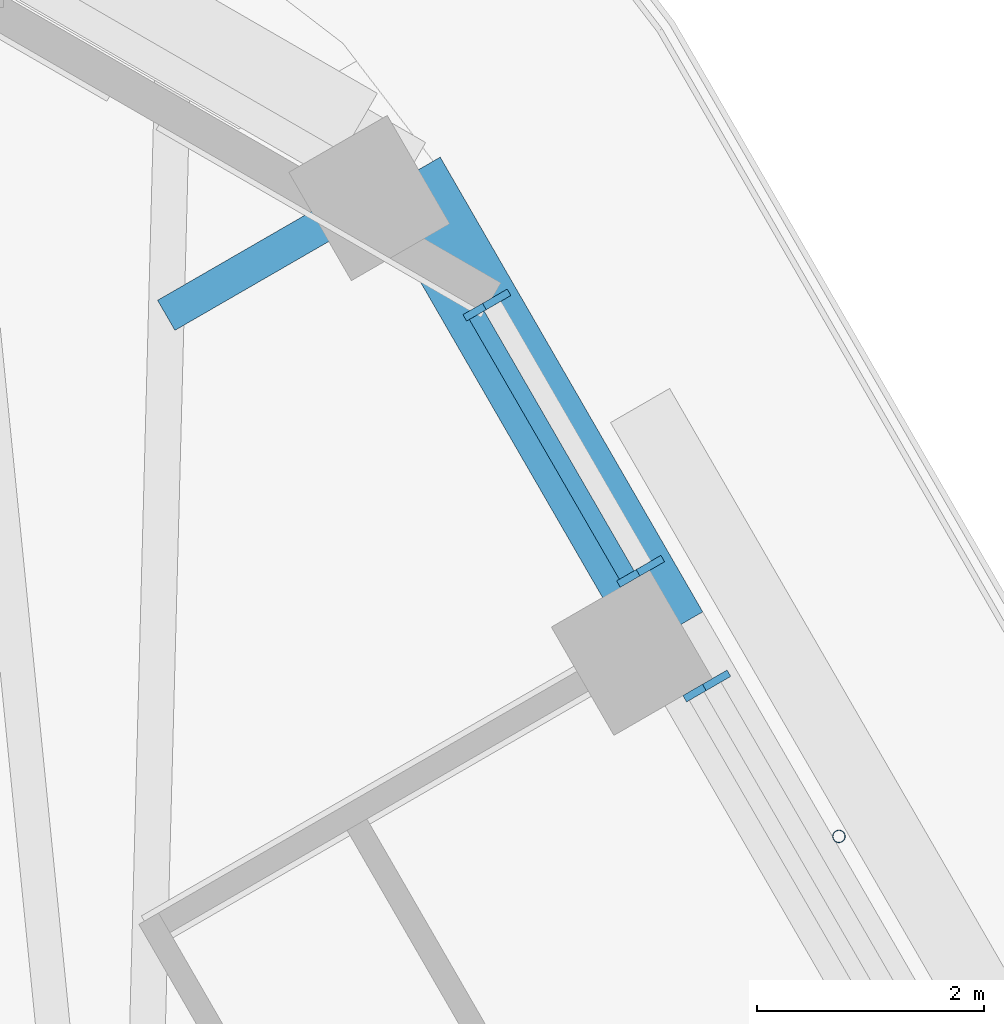
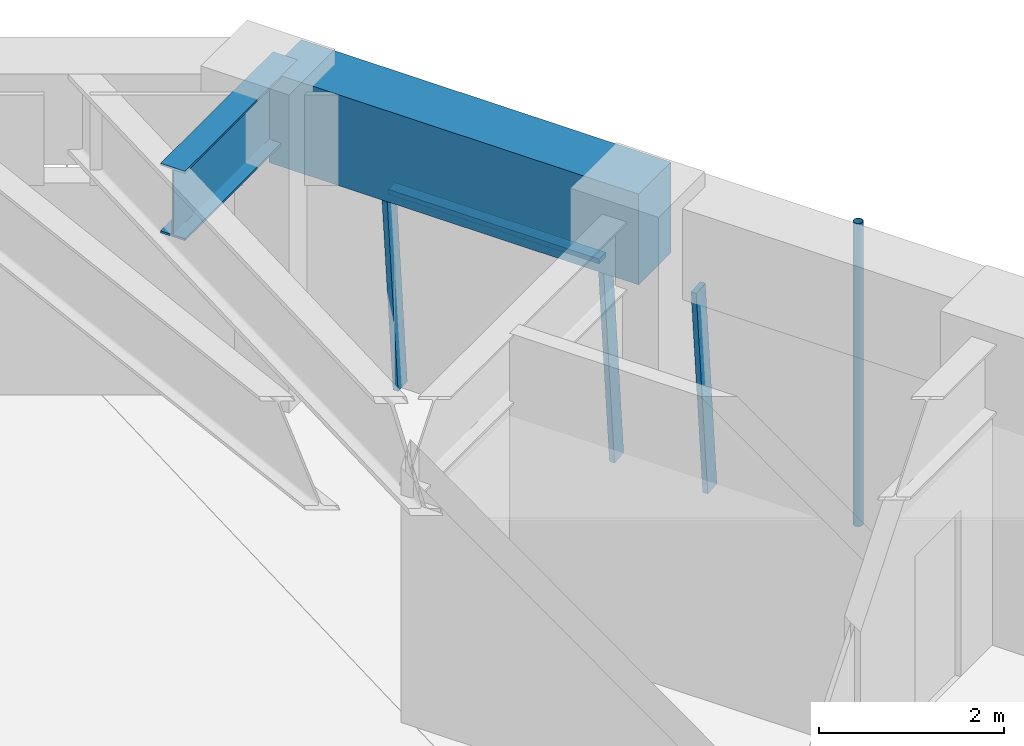
# One storey, part 12 of 20: 5 members, 2 beams, 2 elements without a shape of their own.
"""IFC4 building model written with IfcOpenShell, lengths in metres."""

from ifc_helpers import new_model, si_unit, direction, frame, origin, origin_2d, place, context, subcontext, project, spatial, rectangle, hollow_circle, i_section, extrude, material, material_profile, profile_set, type_object, element, aggregate, save


model = new_model("IFC4")

# Units and contexts
model_context = context("Model", 3, precision=1e-05, world=origin(), true_north=direction((0.0, 1.0)))
body_context = subcontext(model_context, "Body", "Model", "MODEL_VIEW")
ifc_project = project(units=[si_unit("LENGTHUNIT", "METRE"), si_unit("AREAUNIT", "SQUARE_METRE"), si_unit("VOLUMEUNIT", "CUBIC_METRE"), si_unit("PLANEANGLEUNIT", "RADIAN"), si_unit("MASSUNIT", "GRAM", prefix="KILO")], contexts=[model_context])

# Site, building, storey
site_placement = place(None, origin())
site = spatial("IfcSite", under=ifc_project, at=site_placement, CompositionType="ELEMENT")
building_placement = place(site_placement, origin())
building = spatial("IfcBuilding", under=site, at=building_placement, Name="Tarfa Lantern Tower", CompositionType="ELEMENT")
storey_placement = place(building_placement, frame((0.0, 0.0, 291.10009765625)))
storey = spatial("IfcBuildingStorey", under=building, at=storey_placement, Name="L66", CompositionType="ELEMENT", Elevation=291.10009765625)

# Curtain wall, member
ifc_material_1 = material(Name="Aluminium framed curtain wall", Category="aluminium")
curtain_wall_type = type_object("IfcCurtainWallType", Name="CW3 CANTED GLAZING HIGH ZONE 2800", PredefinedType="USERDEFINED", material=ifc_material_1)
curtain_wall_1_placement = place(storey_placement, origin())
curtain_wall_1 = element("IfcCurtainWall", 1, at=curtain_wall_1_placement, inside=storey, type_object=curtain_wall_type, Name="CW3 NE L66", ObjectType="CURTAIN WALL", PredefinedType="USERDEFINED")
ifc_material_2 = material(Name="Aluminium mullion", Category="aluminium")
ifc_material_profile_1 = material_profile(ifc_material_2, rectangle(XDim=0.06494140625, YDim=0.199951171875, at=origin_2d()), Name="AL MULLION 65x200")
ifc_profile_set_1 = profile_set([ifc_material_profile_1], Name="Aluminium mullion")
member_type_1 = type_object("IfcMemberType", Name="CWM1 MULLION 65x200", PredefinedType="MULLION", material=ifc_profile_set_1)
member_1_placement = place(storey_placement, frame((20.70068359375, 21.945556640625, 0.0), z_axis=(-0.077039050765, -0.044468989844, 0.996035889715), x_axis=(0.499919672301, -0.866071776036, 0.0)))
member_1 = element("IfcMember", 2, at=member_1_placement, type_object=member_type_1, Name="CW3 mullion 2", PredefinedType="MULLION", context=body_context, shape_type="SweptSolid", body=[
    extrude(rectangle(XDim=0.06494140625, YDim=0.199951171875, at=origin_2d()), origin(), (0.0, 0.0, 1.0), 2.81103515625),
])
aggregate(curtain_wall_1, [member_1])

# Curtain wall, members
curtain_wall_2_placement = place(storey_placement, origin())
curtain_wall_2 = element("IfcCurtainWall", 3, at=curtain_wall_2_placement, inside=storey, type_object=curtain_wall_type, Name="CW3 NE L66", ObjectType="CURTAIN WALL", PredefinedType="USERDEFINED")
member_2_placement = place(storey_placement, frame((20.1181640625, 22.954345703125, 0.0), z_axis=(-0.077039050765, -0.044468989844, 0.996035889715), x_axis=(0.499919672301, -0.866071776036, 0.0)))
member_2 = element("IfcMember", 4, at=member_2_placement, type_object=member_type_1, Name="CW3 mullion 1", PredefinedType="MULLION", context=body_context, shape_type="SweptSolid", body=[
    extrude(rectangle(XDim=0.06494140625, YDim=0.199951171875, at=origin_2d()), origin(), (0.0, 0.0, 1.0), 2.81103515625),
])
member_3_placement = place(storey_placement, frame((18.76611328125, 25.296142578125, 0.0), z_axis=(-0.077039050765, -0.044468989844, 0.996035889715), x_axis=(0.499919672301, -0.866071776036, 0.0)))
member_3 = element("IfcMember", 5, at=member_3_placement, type_object=member_type_1, Name="CW3 mullion 2", PredefinedType="MULLION", context=body_context, shape_type="SweptSolid", body=[
    extrude(rectangle(XDim=0.06494140625, YDim=0.199951171875, at=origin_2d()), origin(), (0.0, 0.0, 1.0), 2.81103515625),
])
ifc_material_3 = material(Name="Aluminium transom", Category="aluminium")
ifc_material_profile_2 = material_profile(ifc_material_3, rectangle(XDim=0.14990234375, YDim=0.06494140625, at=origin_2d()), Name="AL TRANSOM 150x65")
ifc_profile_set_2 = profile_set([ifc_material_profile_2], Name="Aluminium transom")
member_type_2 = type_object("IfcMemberType", Name="CWT1 TRANSOM 150x65", PredefinedType="USERDEFINED", material=ifc_profile_set_2)
member_4_placement = place(storey_placement, frame((19.887939453125, 22.859130859375, 2.767333984375), z_axis=(-0.50006949096, 0.865985279442, 0.0), x_axis=(-0.865985279442, -0.50006949096, 0.0)))
member_4 = element("IfcMember", 6, at=member_4_placement, type_object=member_type_2, Name="CW3 transom 1.2", ObjectType="TRANSOM", PredefinedType="USERDEFINED", context=body_context, shape_type="SweptSolid", body=[
    extrude(rectangle(XDim=0.14990234375, YDim=0.06494140625, at=origin_2d()), origin(), (0.0, 0.0, 1.0), 2.638671875),
])
aggregate(curtain_wall_2, [member_2, member_3, member_4])

# Beam
ifc_material_4 = material(Name="Concrete C80/95", Category="concrete")
ifc_material_profile_3 = material_profile(ifc_material_4, rectangle(XDim=0.699951171875, YDim=1.199951171875, at=origin_2d()), Name="RC 700x1200")
ifc_profile_set_3 = profile_set([ifc_material_profile_3], Name="Concrete C80/95")
beam_type_1 = type_object("IfcBeamType", Name="EB3 RC 700x1200", PredefinedType="SPANDREL", material=ifc_profile_set_3)
beam_1_placement = place(storey_placement, frame((20.25341796875, 22.360107421875, 3.39990234375), z_axis=(-0.499987836815, 0.866032426089, 0.0), x_axis=(-0.866032426089, -0.499987836815, 0.0)))
element("IfcBeam", 7, at=beam_1_placement, inside=storey, type_object=beam_type_1, Name="Edge beam NE5", PredefinedType="SPANDREL", context=body_context, shape_type="SweptSolid", body=[
    extrude(rectangle(XDim=0.699951171875, YDim=1.199951171875, at=origin_2d()), origin(), (0.0, 0.0, 1.0), 4.61865234375),
])

# Member
ifc_material_5 = material(Name="Steel S355", Category="steel")
ifc_material_profile_4 = material_profile(ifc_material_5, hollow_circle(Radius=0.05712890625, WallThickness=0.00634765625, at=origin_2d()), Name="CHS114.3x6.3")
ifc_profile_set_4 = profile_set([ifc_material_profile_4], Name="Steel S355")
member_type_3 = type_object("IfcMemberType", Name="TR1 GREEN WALL TRELLIS CHS114.3x6.3", PredefinedType="USERDEFINED", material=ifc_profile_set_4)
member_5_placement = place(storey_placement, frame((21.754638671875, 20.56005859375, 0.0), z_axis=(0.0, 0.0, 1.0), x_axis=(1.0, 0.0, 0.0)))
element("IfcMember", 8, at=member_5_placement, inside=storey, type_object=member_type_3, Name="Trellis post NE 2", ObjectType="TRELLIS", PredefinedType="USERDEFINED", context=body_context, shape_type="SweptSolid", body=[
    extrude(hollow_circle(Radius=0.05712890625, WallThickness=0.00634765625, at=origin_2d()), origin(), (0.0, 0.0, 1.0), 4.0),
])

# Beam
ifc_material_6 = material(Name="Steel S460M", Category="steel")
ifc_material_profile_5 = material_profile(ifc_material_6, i_section(OverallWidth=0.305419921875, OverallDepth=0.91845703125, WebThickness=0.017333984375, FlangeThickness=0.02783203125, FilletRadius=0.01904296875, at=origin_2d()), Name="UB914x305x253")
ifc_profile_set_5 = profile_set([ifc_material_profile_5], Name="Steel S460M")
beam_type_2 = type_object("IfcBeamType", Name="UB914x305x253", PredefinedType="BEAM", material=ifc_profile_set_5)
beam_2_placement = place(storey_placement, frame((17.944091796875, 26.360107421875, 3.540771484375), z_axis=(-0.865980009423, -0.5000786171, 0.0), x_axis=(0.5000786171, -0.865980009423, 0.0)))
element("IfcBeam", 9, at=beam_2_placement, inside=storey, type_object=beam_type_2, Name="Floor beam NE6", PredefinedType="BEAM", context=body_context, shape_type="SweptSolid", body=[
    extrude(i_section(OverallWidth=0.305419921875, OverallDepth=0.91845703125, WebThickness=0.017333984375, FlangeThickness=0.02783203125, FilletRadius=0.01904296875, at=origin_2d()), origin(), (0.0, 0.0, 1.0), 2.4326171875),
])

save(model, "model.ifc")
